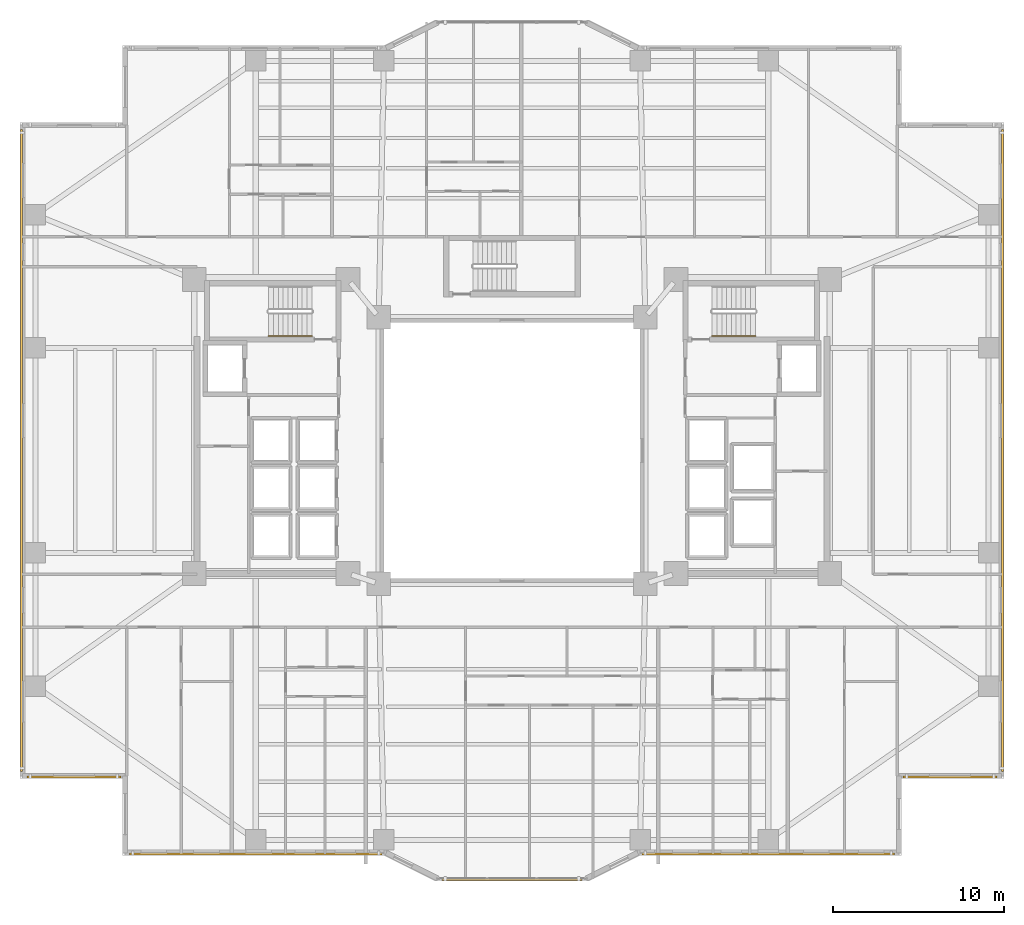
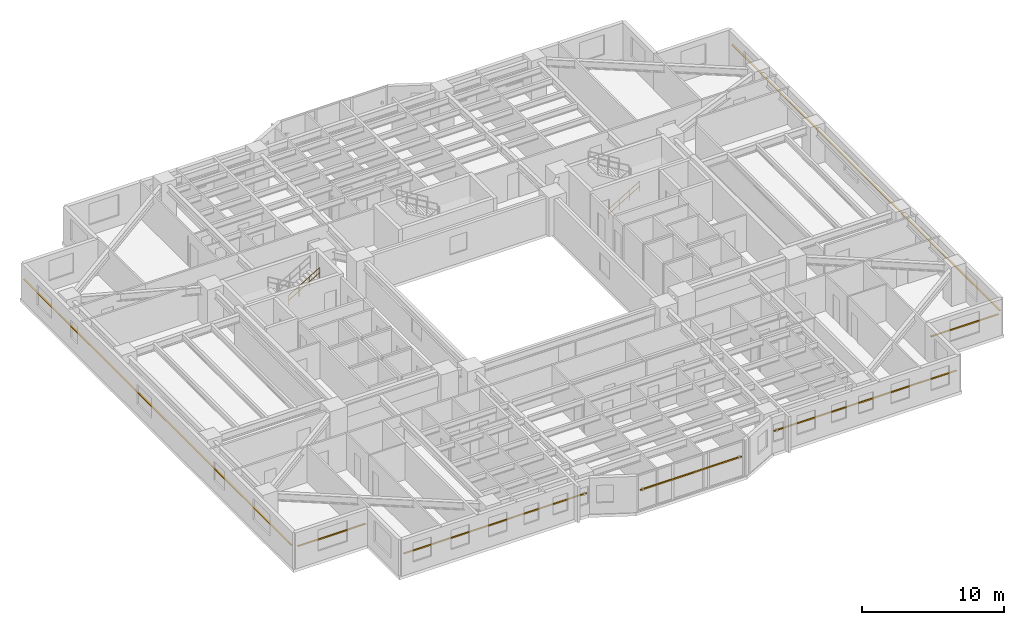
# One storey, part 19 of 21: 7 shading devices, 2 railings.
"""IFC4 building model written with IfcOpenShell, lengths in metres."""

from ifc_helpers import new_model, si_unit, direction, frame, origin, origin_2d, place, context, subcontext, project, spatial, rectangle, circle, extrude, material, material_profile, profile_set, type_object, element, save


model = new_model("IFC4")

# Units and contexts
model_context = context("Model", 3, precision=1e-05, world=origin(), true_north=direction((0.0, 1.0)))
body_context = subcontext(model_context, "Body", "Model", "MODEL_VIEW")
ifc_project = project(units=[si_unit("LENGTHUNIT", "METRE"), si_unit("AREAUNIT", "SQUARE_METRE"), si_unit("VOLUMEUNIT", "CUBIC_METRE"), si_unit("PLANEANGLEUNIT", "RADIAN"), si_unit("MASSUNIT", "GRAM", prefix="KILO")], contexts=[model_context])

# Site, building, storey
site_placement = place(None, origin())
site = spatial("IfcSite", under=ifc_project, at=site_placement, CompositionType="ELEMENT")
building_placement = place(site_placement, origin())
building = spatial("IfcBuilding", under=site, at=building_placement, Name="Tarnavaz Court Tower", CompositionType="ELEMENT")
storey_placement = place(building_placement, frame((0.0, 0.0, 37.39990234375)))
storey = spatial("IfcBuildingStorey", under=building, at=storey_placement, Name="L09", CompositionType="ELEMENT", Elevation=37.39990234375)

# Railings
ifc_material_1 = material(Name="Brushed Stainless Steel", Category="steel")
railing_type = type_object("IfcRailingType", Name="RL-HANDRAIL-900", PredefinedType="HANDRAIL", material=ifc_material_1)
for number, where, name in (
    (1, (-14.239990234375, 6.699951171875, 1.842529296875), "L09 ST-W1 stair handrail 2"),
    (2, (11.719970703125, 6.699951171875, 0.16748046875), "L09 ST-E1 stair handrail 1"),
):
    element("IfcRailing", number, at=place(storey_placement, frame(where)), inside=storey, type_object=railing_type, Name=name, PredefinedType="HANDRAIL", context=body_context, shape_type="SweptSolid", body=[
        extrude(circle(Radius=0.02392578125, at=origin_2d()), frame((0.0, 0.0, 0.8759765625), z_axis=(0.858159760407, 0.0, 0.513382728203), x_axis=(0.0, 1.0, 0.0)), (0.0, 0.0, 1.0), 2.9365234375),
        extrude(circle(Radius=0.02392578125, at=origin_2d()), frame((0.0, 0.0, 0.449951171875), z_axis=(0.858159760407, 0.0, 0.513382728203), x_axis=(0.0, 1.0, 0.0)), (0.0, 0.0, 1.0), 2.9365234375),
        extrude(circle(Radius=0.02099609375, at=origin_2d()), origin(), (0.0, 0.0, 1.0), 0.851806640625),
        extrude(circle(Radius=0.02099609375, at=origin_2d()), frame((0.840087890625, 0.0, 0.50244140625)), (0.0, 0.0, 1.0), 0.851806640625),
        extrude(circle(Radius=0.02099609375, at=origin_2d()), frame((1.679931640625, 0.0, 1.005126953125)), (0.0, 0.0, 1.0), 0.851806640625),
        extrude(circle(Radius=0.02099609375, at=origin_2d()), frame((2.52001953125, 0.0, 1.507568359375)), (0.0, 0.0, 1.0), 0.851806640625),
    ])

# Shading devices
ifc_material_2 = material(Name="Kiln-Fired Khorasan Terracotta Ceramic", Category="masonry")
ifc_material_profile = material_profile(ifc_material_2, rectangle(XDim=0.1201171875, YDim=0.06005859375, at=origin_2d()), Name="TC BAGUETTE 120X60")
ifc_profile_set = profile_set([ifc_material_profile], Name="Kiln-Fired Khorasan Terracotta Ceramic")
shading_device_type = type_object("IfcShadingDeviceType", Name="SD-BAG-120", PredefinedType="USERDEFINED", material=ifc_profile_set)
shading_device_1_placement = place(storey_placement, frame((-22.89990234375, -19.110107421875, 1.85009765625), z_axis=(-1.0, 0.0, 0.0), x_axis=(0.0, -1.0, 0.0)))
element("IfcShadingDevice", 3, at=shading_device_1_placement, inside=storey, type_object=shading_device_type, Name="L09 Terracotta Baguette Screen FBG01", ObjectType="BAGUETTE", PredefinedType="USERDEFINED", context=body_context, shape_type="SweptSolid", body=[
    extrude(rectangle(XDim=0.1201171875, YDim=0.06005859375, at=origin_2d()), origin(), (0.0, 0.0, 1.0), 5.5),
])
for number, where, z_axis, x_axis, name in (
    (4, (-28.7099609375, -18.800048828125, 1.85009765625), (0.0, 1.0, 0.0), (-1.0, 0.0, 0.0), "L09 Terracotta Baguette Screen FBG02"),
    (5, (28.7099609375, 18.800048828125, 1.85009765625), (0.0, -1.0, 0.0), (1.0, 0.0, 0.0), "L09 Terracotta Baguette Screen FBG12"),
):
    element("IfcShadingDevice", number, at=place(storey_placement, frame(where, z_axis=z_axis, x_axis=x_axis)), inside=storey, type_object=shading_device_type, Name=name, ObjectType="BAGUETTE", PredefinedType="USERDEFINED", context=body_context, shape_type="SweptSolid", body=[
        extrude(rectangle(XDim=0.1201171875, YDim=0.06005859375, at=origin_2d()), origin(), (0.0, 0.0, 1.0), 37.60009765625),
    ])
shading_device_2_placement = place(storey_placement, frame((28.39990234375, -19.110107421875, 1.85009765625), z_axis=(-1.0, 0.0, 0.0), x_axis=(0.0, -1.0, 0.0)))
element("IfcShadingDevice", 6, at=shading_device_2_placement, inside=storey, type_object=shading_device_type, Name="L09 Terracotta Baguette Screen FBG13", ObjectType="BAGUETTE", PredefinedType="USERDEFINED", context=body_context, shape_type="SweptSolid", body=[
    extrude(rectangle(XDim=0.1201171875, YDim=0.06005859375, at=origin_2d()), origin(), (0.0, 0.0, 1.0), 5.5),
])
shading_device_3_placement = place(storey_placement, frame((22.39990234375, -23.610107421875, 1.85009765625), z_axis=(-1.0, 0.0, 0.0), x_axis=(0.0, -1.0, 0.0)))
element("IfcShadingDevice", 7, at=shading_device_3_placement, inside=storey, type_object=shading_device_type, Name="L09 Terracotta Baguette Screen FBG15", ObjectType="BAGUETTE", PredefinedType="USERDEFINED", context=body_context, shape_type="SweptSolid", body=[
    extrude(rectangle(XDim=0.1201171875, YDim=0.06005859375, at=origin_2d()), origin(), (0.0, 0.0, 1.0), 14.7998046875),
])
shading_device_4_placement = place(storey_placement, frame((4.10009765625, -25.110107421875, 1.800048828125), z_axis=(-1.0, 0.0, 0.0), x_axis=(0.0, -1.0, 0.0)))
element("IfcShadingDevice", 8, at=shading_device_4_placement, inside=storey, type_object=shading_device_type, Name="L09 Terracotta Baguette Screen PBG17", ObjectType="BAGUETTE", PredefinedType="USERDEFINED", context=body_context, shape_type="SweptSolid", body=[
    extrude(rectangle(XDim=0.1201171875, YDim=0.06005859375, at=origin_2d()), origin(), (0.0, 0.0, 1.0), 8.2001953125),
])
shading_device_5_placement = place(storey_placement, frame((-7.60009765625, -23.610107421875, 1.85009765625), z_axis=(-1.0, 0.0, 0.0), x_axis=(0.0, -1.0, 0.0)))
element("IfcShadingDevice", 9, at=shading_device_5_placement, inside=storey, type_object=shading_device_type, Name="L09 Terracotta Baguette Screen FBG19", ObjectType="BAGUETTE", PredefinedType="USERDEFINED", context=body_context, shape_type="SweptSolid", body=[
    extrude(rectangle(XDim=0.1201171875, YDim=0.06005859375, at=origin_2d()), origin(), (0.0, 0.0, 1.0), 14.7998046875),
])

save(model, "model.ifc")
